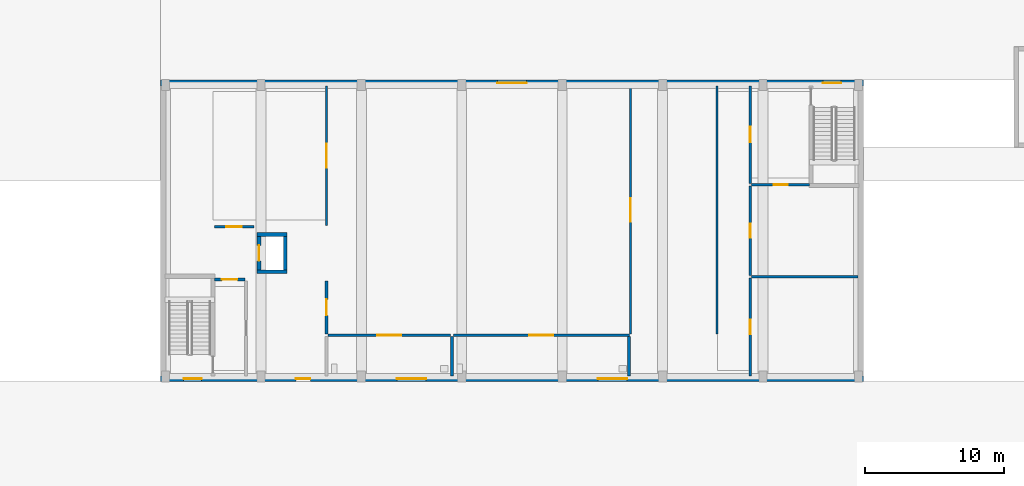
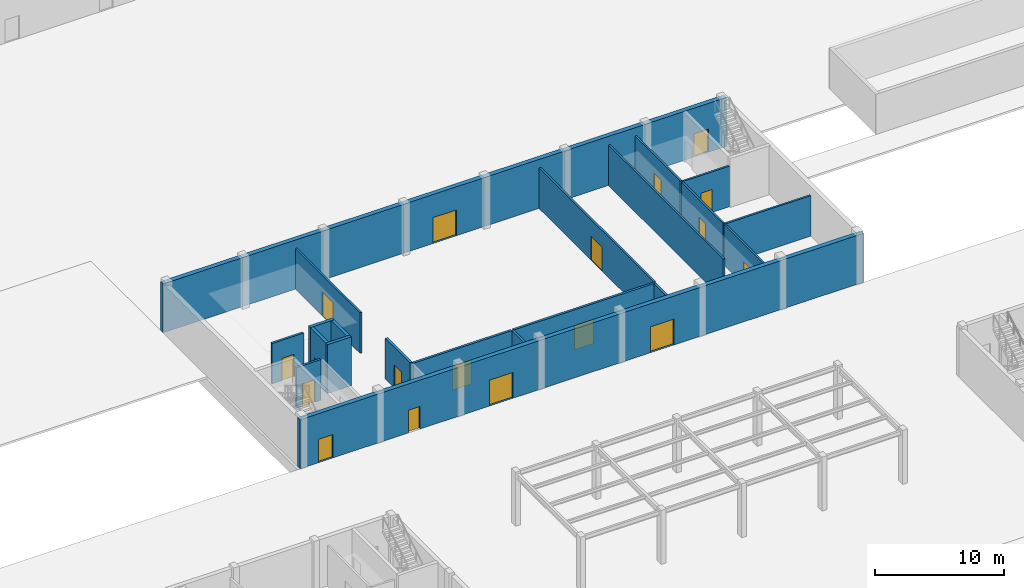
# One storey, part 41 of 85: 21 walls, 18 doors, 18 openings.
"""IFC4 building model written with IfcOpenShell, lengths in metres."""

from ifc_helpers import new_model, si_unit, derived_unit, direction, frame, frame_2d, origin, place, context, subcontext, project, spatial, rectangle, extrude, material, layer, layer_set, type_object, element, fill, save


model = new_model("IFC4")

# Units and contexts
model_context = context("Model", 3, precision=1e-05, world=origin(), true_north=direction((0.0, 1.0)))
body_context = subcontext(model_context, "Body", "Model", "MODEL_VIEW")
ifc_project = project(units=[si_unit("LENGTHUNIT", "METRE"), si_unit("AREAUNIT", "SQUARE_METRE"), si_unit("VOLUMEUNIT", "CUBIC_METRE"), si_unit("PLANEANGLEUNIT", "RADIAN"), si_unit("MASSUNIT", "GRAM", prefix="KILO"), derived_unit("THERMALTRANSMITTANCEUNIT", [(si_unit("MASSUNIT", "GRAM", prefix="KILO"), 1), (si_unit("TIMEUNIT", "SECOND"), -3), (si_unit("THERMODYNAMICTEMPERATUREUNIT", "KELVIN"), -1)])], contexts=[model_context])

# Site, building, storey
site_placement = place(None, origin())
site = spatial("IfcSite", under=ifc_project, at=site_placement, CompositionType="ELEMENT")
building_placement = place(site_placement, origin())
building = spatial("IfcBuilding", under=site, at=building_placement, Name="Ochrekiln Boulevard Commons", CompositionType="ELEMENT")
storey_placement = place(building_placement, origin())
storey = spatial("IfcBuildingStorey", under=building, at=storey_placement, Name="L00", CompositionType="ELEMENT", Elevation=0.0)

# Wall, openings, doors
ifc_material_1 = material(Name="Iron-spot brown clinker brick masonry ASTM C216 Grade SW", Category="masonry")
ifc_layer_1 = layer(ifc_material_1, 0.39990234375)
ifc_layer_set_1 = layer_set([ifc_layer_1], Name="Iron-spot brown clinker brick masonry ASTM C216 Grade SW")
wall_type_1 = type_object("IfcWallType", Name="WL-EXT-HALL-400", PredefinedType="SOLIDWALL", material=ifc_layer_set_1)
wall_1_placement = place(storey_placement, frame((57.60009765625, 36.199951171875, 0.0), z_axis=(0.0, 0.0, 1.0), x_axis=(1.0, 0.0, 0.0)))
wall_1 = element("IfcWall", 1, at=wall_1_placement, inside=storey, type_object=wall_type_1, Name="Community Hall L00 S Exterior Wall", PredefinedType="SOLIDWALL", context=body_context, shape_type="SweptSolid", body=[
    extrude(rectangle(XDim=50.39990234375, YDim=0.39990234375, at=frame_2d((25.199951171875, 0.0))), origin(), (0.0, 0.0, 1.0), 4.6298828125),
])
opening_1_placement = place(wall_1_placement, frame((1.64990234375, 0.0, 0.0)))
opening_1 = element("IfcOpeningElement", 2, at=opening_1_placement, cuts=wall_1, Name="Opening D-L00-H1X", PredefinedType="OPENING", context=body_context, shape_type="SweptSolid", body=[
    extrude(rectangle(XDim=1.300048828125, YDim=2.199951171875, at=frame_2d((0.64990234375, 1.10009765625))), frame((0.0, 0.2099609375, 0.0), z_axis=(0.0, -1.0, 0.0), x_axis=(1.0, 0.0, 0.0)), (0.0, 0.0, 1.0), 0.419921875),
])
opening_2_placement = place(wall_1_placement, frame((9.699951171875, 0.0, 0.0)))
opening_2 = element("IfcOpeningElement", 3, at=opening_2_placement, cuts=wall_1, Name="Opening D-L00-FCC", PredefinedType="OPENING", context=body_context, shape_type="SweptSolid", body=[
    extrude(rectangle(XDim=1.050048828125, YDim=2.14990234375, at=frame_2d((0.52490234375, 1.074951171875))), frame((0.0, 0.2099609375, 0.0), z_axis=(0.0, -1.0, 0.0), x_axis=(1.0, 0.0, 0.0)), (0.0, 0.0, 1.0), 0.419921875),
])
opening_3_placement = place(wall_1_placement, frame((16.949951171875, 0.0, 0.0)))
opening_3 = element("IfcOpeningElement", 4, at=opening_3_placement, cuts=wall_1, Name="Opening D-L00-HMS1", PredefinedType="OPENING", context=body_context, shape_type="SweptSolid", body=[
    extrude(rectangle(XDim=2.10009765625, YDim=2.449951171875, at=frame_2d((1.050048828125, 1.22509765625))), frame((0.0, 0.2099609375, 0.0), z_axis=(0.0, -1.0, 0.0), x_axis=(1.0, 0.0, 0.0)), (0.0, 0.0, 1.0), 0.419921875),
])
opening_4_placement = place(wall_1_placement, frame((31.35009765625, 0.0, 0.0)))
opening_4 = element("IfcOpeningElement", 5, at=opening_4_placement, cuts=wall_1, Name="Opening D-L00-HMS2", PredefinedType="OPENING", context=body_context, shape_type="SweptSolid", body=[
    extrude(rectangle(XDim=2.10009765625, YDim=2.449951171875, at=frame_2d((1.050048828125, 1.22509765625))), frame((0.0, 0.2099609375, 0.0), z_axis=(0.0, -1.0, 0.0), x_axis=(1.0, 0.0, 0.0)), (0.0, 0.0, 1.0), 0.419921875),
])
ifc_material_2 = material(Name="Bronze-anodized extruded aluminium 6063-T6", Category="aluminium")
door_type_1 = type_object("IfcDoorType", Name="DR-EXT-FCC-105", OperationType="NOTDEFINED", PredefinedType="DOOR", material=ifc_material_2)
door_1_placement = place(opening_2_placement, frame((1.050048828125, 0.0, 0.0), z_axis=(0.0, 0.0, 1.0), x_axis=(-1.0, 0.0, 0.0)))
door_1 = element("IfcDoor", 6, at=door_1_placement, inside=storey, type_object=door_type_1, Name="Fire Command Center Exterior Access Door", OperationType="SINGLE_SWING_RIGHT", OverallHeight=2.14990234375, OverallWidth=1.050048828125, PredefinedType="DOOR", context=body_context, shape_type="SweptSolid", body=[
    extrude(rectangle(XDim=1.050048828125, YDim=2.14990234375, at=frame_2d((0.52490234375, 1.074951171875))), frame((0.0, 0.02490234375, 0.0), z_axis=(0.0, -1.0, 0.0), x_axis=(1.0, 0.0, 0.0)), (0.0, 0.0, 1.0), 0.050048828125),
])
fill(opening_2, door_1)
door_type_2 = type_object("IfcDoorType", Name="DR-EXT-HALL-210", OperationType="DOUBLE_DOOR_SINGLE_SWING", PredefinedType="DOOR", material=ifc_material_2)
door_2_placement = place(opening_3_placement, frame((2.10009765625, 0.0, 0.0), z_axis=(0.0, 0.0, 1.0), x_axis=(-1.0, 0.0, 0.0)))
door_2 = element("IfcDoor", 7, at=door_2_placement, inside=storey, type_object=door_type_2, Name="Community Hall Main Assembly Entrance and Final Exit S1", OperationType="DOUBLE_DOOR_SINGLE_SWING", OverallHeight=2.449951171875, OverallWidth=2.10009765625, PredefinedType="DOOR", context=body_context, shape_type="SweptSolid", body=[
    extrude(rectangle(XDim=2.10009765625, YDim=2.449951171875, at=frame_2d((1.050048828125, 1.22509765625))), frame((0.0, 0.02490234375, 0.0), z_axis=(0.0, -1.0, 0.0), x_axis=(1.0, 0.0, 0.0)), (0.0, 0.0, 1.0), 0.050048828125),
])
fill(opening_3, door_2)
door_3_placement = place(opening_4_placement, frame((2.10009765625, 0.0, 0.0), z_axis=(0.0, 0.0, 1.0), x_axis=(-1.0, 0.0, 0.0)))
door_3 = element("IfcDoor", 8, at=door_3_placement, inside=storey, type_object=door_type_2, Name="Community Hall Main Assembly Entrance and Final Exit S2", OperationType="DOUBLE_DOOR_SINGLE_SWING", OverallHeight=2.449951171875, OverallWidth=2.10009765625, PredefinedType="DOOR", context=body_context, shape_type="SweptSolid", body=[
    extrude(rectangle(XDim=2.10009765625, YDim=2.449951171875, at=frame_2d((1.050048828125, 1.22509765625))), frame((0.0, 0.02490234375, 0.0), z_axis=(0.0, -1.0, 0.0), x_axis=(1.0, 0.0, 0.0)), (0.0, 0.0, 1.0), 0.050048828125),
])
fill(opening_4, door_3)
door_type_3 = type_object("IfcDoorType", Name="DR-EXT-STAIR-130", OperationType="NOTDEFINED", PredefinedType="DOOR", material=ifc_material_2)
door_4_placement = place(opening_1_placement, frame((1.300048828125, 0.0, 0.0), z_axis=(0.0, 0.0, 1.0), x_axis=(-1.0, 0.0, 0.0)))
door_4 = element("IfcDoor", 9, at=door_4_placement, inside=storey, type_object=door_type_3, Name="Community Hall Stair ST-H1 Exterior Exit Door", OperationType="SINGLE_SWING_LEFT", OverallHeight=2.199951171875, OverallWidth=1.300048828125, PredefinedType="DOOR", context=body_context, shape_type="SweptSolid", body=[
    extrude(rectangle(XDim=1.300048828125, YDim=2.199951171875, at=frame_2d((0.64990234375, 1.10009765625))), frame((0.0, 0.02490234375, 0.0), z_axis=(0.0, -1.0, 0.0), x_axis=(1.0, 0.0, 0.0)), (0.0, 0.0, 1.0), 0.050048828125),
])
fill(opening_1, door_4)

wall_2_placement = place(storey_placement, frame((57.60009765625, 57.39990234375, 0.0), z_axis=(0.0, 0.0, 1.0), x_axis=(1.0, 0.0, 0.0)))
wall_2 = element("IfcWall", 10, at=wall_2_placement, inside=storey, type_object=wall_type_1, Name="Community Hall L00 N Exterior Wall", PredefinedType="SOLIDWALL", context=body_context, shape_type="SweptSolid", body=[
    extrude(rectangle(XDim=50.39990234375, YDim=0.39990234375, at=frame_2d((25.199951171875, 0.0))), origin(), (0.0, 0.0, 1.0), 4.6298828125),
])
opening_5_placement = place(wall_2_placement, frame((47.5, 0.0, 0.0)))
opening_5 = element("IfcOpeningElement", 11, at=opening_5_placement, cuts=wall_2, Name="Opening D-L00-H2X", PredefinedType="OPENING", context=body_context, shape_type="SweptSolid", body=[
    extrude(rectangle(XDim=1.300048828125, YDim=2.199951171875, at=frame_2d((0.64990234375, 1.10009765625))), frame((0.0, 0.2099609375, 0.0), z_axis=(0.0, -1.0, 0.0), x_axis=(1.0, 0.0, 0.0)), (0.0, 0.0, 1.0), 0.419921875),
])
opening_6_placement = place(wall_2_placement, frame((24.14990234375, 0.0, 0.0)))
opening_6 = element("IfcOpeningElement", 12, at=opening_6_placement, cuts=wall_2, Name="Opening D-L00-HMN1", PredefinedType="OPENING", context=body_context, shape_type="SweptSolid", body=[
    extrude(rectangle(XDim=2.10009765625, YDim=2.449951171875, at=frame_2d((1.050048828125, 1.22509765625))), frame((0.0, 0.2099609375, 0.0), z_axis=(0.0, -1.0, 0.0), x_axis=(1.0, 0.0, 0.0)), (0.0, 0.0, 1.0), 0.419921875),
])
door_5_placement = place(opening_6_placement, origin())
door_5 = element("IfcDoor", 13, at=door_5_placement, inside=storey, type_object=door_type_2, Name="Community Hall Main Assembly Entrance and Final Exit N1", OperationType="DOUBLE_DOOR_SINGLE_SWING", OverallHeight=2.449951171875, OverallWidth=2.10009765625, PredefinedType="DOOR", context=body_context, shape_type="SweptSolid", body=[
    extrude(rectangle(XDim=2.10009765625, YDim=2.449951171875, at=frame_2d((1.050048828125, 1.22509765625))), frame((0.0, 0.02490234375, 0.0), z_axis=(0.0, -1.0, 0.0), x_axis=(1.0, 0.0, 0.0)), (0.0, 0.0, 1.0), 0.050048828125),
])
fill(opening_6, door_5)
door_6_placement = place(opening_5_placement, origin())
door_6 = element("IfcDoor", 14, at=door_6_placement, inside=storey, type_object=door_type_3, Name="Community Hall Stair ST-H2 Exterior Exit Door", OperationType="SINGLE_SWING_RIGHT", OverallHeight=2.199951171875, OverallWidth=1.300048828125, PredefinedType="DOOR", context=body_context, shape_type="SweptSolid", body=[
    extrude(rectangle(XDim=1.300048828125, YDim=2.199951171875, at=frame_2d((0.64990234375, 1.10009765625))), frame((0.0, 0.02490234375, 0.0), z_axis=(0.0, -1.0, 0.0), x_axis=(1.0, 0.0, 0.0)), (0.0, 0.0, 1.0), 0.050048828125),
])
fill(opening_5, door_6)

# Wall, opening, door
ifc_material_3 = material(Name="Moisture-resistant cementitious tile backer wall")
ifc_layer_2 = layer(ifc_material_3, 0.199951171875)
ifc_layer_set_2 = layer_set([ifc_layer_2], Name="Moisture-resistant cementitious tile backer wall")
wall_type_2 = type_object("IfcWallType", Name="WL-PLM-200", PredefinedType="PLUMBINGWALL", material=ifc_layer_set_2)
wall_3_placement = place(storey_placement, frame((69.60009765625, 39.31005859375, 0.0), z_axis=(0.0, 0.0, 1.0), x_axis=(1.0, 0.0, 0.0)))
wall_3 = element("IfcWall", 15, at=wall_3_placement, inside=storey, type_object=wall_type_2, Name="L00 Interior Wall W-PW200", PredefinedType="PLUMBINGWALL", context=body_context, shape_type="SweptSolid", body=[
    extrude(rectangle(XDim=8.7998046875, YDim=0.199951171875, at=frame_2d((4.39990234375, 0.0))), origin(), (0.0, 0.0, 1.0), 3.840087890625),
])
opening_7_placement = place(wall_3_placement, frame((3.550048828125, 0.0, 0.0)))
opening_7 = element("IfcOpeningElement", 16, at=opening_7_placement, cuts=wall_3, Name="Opening D-L00-108", PredefinedType="OPENING", context=body_context, shape_type="SweptSolid", body=[
    extrude(rectangle(XDim=1.699951171875, YDim=2.280029296875, at=frame_2d((0.85009765625, 1.14013671875))), frame((0.0, 0.10986328125, 0.0), z_axis=(0.0, -1.0, 0.0), x_axis=(1.0, 0.0, 0.0)), (0.0, 0.0, 1.0), 0.219970703125),
])
ifc_material_4 = material(Name="Solid core architectural oak door leaf")
door_type_4 = type_object("IfcDoorType", Name="DR-INT-HALL-170", OperationType="DOUBLE_DOOR_SINGLE_SWING", PredefinedType="DOOR", material=ifc_material_4)
door_7_placement = place(opening_7_placement, origin())
door_7 = element("IfcDoor", 17, at=door_7_placement, inside=storey, type_object=door_type_4, Name="L00 Interior Door to Community Assembly Hall", OperationType="DOUBLE_DOOR_SINGLE_SWING", OverallHeight=2.280029296875, OverallWidth=1.699951171875, PredefinedType="DOOR", context=body_context, shape_type="SweptSolid", body=[
    extrude(rectangle(XDim=1.699951171875, YDim=2.280029296875, at=frame_2d((0.85009765625, 1.14013671875))), frame((0.0, 0.02490234375, 0.0), z_axis=(0.0, -1.0, 0.0), x_axis=(1.0, 0.0, 0.0)), (0.0, 0.0, 1.0), 0.050048828125),
])
fill(opening_7, door_7)

wall_4_placement = place(storey_placement, frame((78.60009765625, 39.31005859375, 0.0), z_axis=(0.0, 0.0, 1.0), x_axis=(1.0, 0.0, 0.0)))
wall_4 = element("IfcWall", 18, at=wall_4_placement, inside=storey, type_object=wall_type_2, Name="L00 Interior Wall W-PW200", PredefinedType="PLUMBINGWALL", context=body_context, shape_type="SweptSolid", body=[
    extrude(rectangle(XDim=12.614990234375, YDim=0.199951171875, at=frame_2d((6.3076171875, 0.0))), origin(), (0.0, 0.0, 1.0), 3.840087890625),
])
opening_8_placement = place(wall_4_placement, frame((5.449951171875, 0.0, 0.0)))
opening_8 = element("IfcOpeningElement", 19, at=opening_8_placement, cuts=wall_4, Name="Opening D-L00-109", PredefinedType="OPENING", context=body_context, shape_type="SweptSolid", body=[
    extrude(rectangle(XDim=1.699951171875, YDim=2.280029296875, at=frame_2d((0.85009765625, 1.14013671875))), frame((0.0, 0.10986328125, 0.0), z_axis=(0.0, -1.0, 0.0), x_axis=(1.0, 0.0, 0.0)), (0.0, 0.0, 1.0), 0.219970703125),
])
door_8_placement = place(opening_8_placement, origin())
door_8 = element("IfcDoor", 20, at=door_8_placement, inside=storey, type_object=door_type_4, Name="L00 Interior Door to Community Assembly Hall", OperationType="DOUBLE_DOOR_SINGLE_SWING", OverallHeight=2.280029296875, OverallWidth=1.699951171875, PredefinedType="DOOR", context=body_context, shape_type="SweptSolid", body=[
    extrude(rectangle(XDim=1.699951171875, YDim=2.280029296875, at=frame_2d((0.85009765625, 1.14013671875))), frame((0.0, 0.02490234375, 0.0), z_axis=(0.0, -1.0, 0.0), x_axis=(1.0, 0.0, 0.0)), (0.0, 0.0, 1.0), 0.050048828125),
])
fill(opening_8, door_8)

# Walls
for number, where, z_axis, x_axis, name in (
    (21, (78.5, 36.39990234375, 0.0), (0.0, 0.0, 1.0), (0.0, 1.0, 0.0), "L00 Interior Wall W-PW200"),
    (22, (91.199951171875, 36.39990234375, 0.0), (0.0, 0.0, 1.0), (0.0, 1.0, 0.0), "L00 Interior Wall W-PW200"),
):
    element("IfcWall", number, at=place(storey_placement, frame(where, z_axis=z_axis, x_axis=x_axis)), inside=storey, type_object=wall_type_2, Name=name, PredefinedType="PLUMBINGWALL", context=body_context, shape_type="SweptSolid", body=[
        extrude(rectangle(XDim=2.820068359375, YDim=0.199951171875, at=frame_2d((1.41015625, 0.0))), origin(), (0.0, 0.0, 1.0), 3.840087890625),
    ])

# Wall, opening, door
ifc_material_5 = material(Name="Fire-rated Type X gypsum board on steel studs", Category="steel")
ifc_layer_3 = layer(ifc_material_5, 0.169921875)
ifc_layer_set_3 = layer_set([ifc_layer_3], Name="Fire-rated Type X gypsum board on steel studs")
wall_type_3 = type_object("IfcWallType", Name="WL-PT-CIV-170", PredefinedType="PARTITIONING", material=ifc_layer_set_3)
wall_5_placement = place(storey_placement, frame((91.300048828125, 39.39990234375, 0.0), z_axis=(0.0, 0.0, 1.0), x_axis=(0.0, 1.0, 0.0)))
wall_5 = element("IfcWall", 23, at=wall_5_placement, inside=storey, type_object=wall_type_3, Name="L00 Interior Wall W-PV170", PredefinedType="PARTITIONING", context=body_context, shape_type="SweptSolid", body=[
    extrude(rectangle(XDim=17.800048828125, YDim=0.169921875, at=frame_2d((8.89990234375, 0.0))), origin(), (0.0, 0.0, 1.0), 3.840087890625),
])
opening_9_placement = place(wall_5_placement, frame((8.050048828125, 0.0, 0.0)))
opening_9 = element("IfcOpeningElement", 24, at=opening_9_placement, cuts=wall_5, Name="Opening D-L00-107", PredefinedType="OPENING", context=body_context, shape_type="SweptSolid", body=[
    extrude(rectangle(XDim=1.699951171875, YDim=2.280029296875, at=frame_2d((0.85009765625, 1.14013671875))), frame((0.0, 0.094970703125, 0.0), z_axis=(0.0, -1.0, 0.0), x_axis=(1.0, 0.0, 0.0)), (0.0, 0.0, 1.0), 0.18994140625),
])
door_9_placement = place(opening_9_placement, origin())
door_9 = element("IfcDoor", 25, at=door_9_placement, inside=storey, type_object=door_type_4, Name="L00 Interior Door to Community Assembly Hall", OperationType="DOUBLE_DOOR_SINGLE_SWING", OverallHeight=2.280029296875, OverallWidth=1.699951171875, PredefinedType="DOOR", context=body_context, shape_type="SweptSolid", body=[
    extrude(rectangle(XDim=1.699951171875, YDim=2.280029296875, at=frame_2d((0.85009765625, 1.14013671875))), frame((0.0, 0.02490234375, 0.0), z_axis=(0.0, -1.0, 0.0), x_axis=(1.0, 0.0, 0.0)), (0.0, 0.0, 1.0), 0.050048828125),
])
fill(opening_9, door_9)

# Wall
wall_6_placement = place(storey_placement, frame((99.971923828125, 43.510009765625, 0.0), z_axis=(0.0, 0.0, 1.0), x_axis=(1.0, 0.0, 0.0)))
element("IfcWall", 26, at=wall_6_placement, inside=storey, type_object=wall_type_3, Name="L00 Interior Wall W-PV170", PredefinedType="PARTITIONING", context=body_context, shape_type="SweptSolid", body=[
    extrude(rectangle(XDim=7.628173828125, YDim=0.169921875, at=frame_2d((3.81396484375, 0.0))), origin(), (0.0, 0.0, 1.0), 3.840087890625),
])

# Wall, opening, door
ifc_layer_4 = layer(ifc_material_5, 0.1650390625)
ifc_layer_set_4 = layer_set([ifc_layer_4], Name="Fire-rated Type X gypsum board on steel studs")
wall_type_4 = type_object("IfcWallType", Name="WL-PT-CORR-165", PredefinedType="PARTITIONING", material=ifc_layer_set_4)
wall_7_placement = place(storey_placement, frame((69.5, 47.179931640625, 0.0), z_axis=(0.0, 0.0, 1.0), x_axis=(0.0, 1.0, 0.0)))
wall_7 = element("IfcWall", 27, at=wall_7_placement, inside=storey, type_object=wall_type_4, Name="L00 Interior Wall W-PC165", PredefinedType="PARTITIONING", context=body_context, shape_type="SweptSolid", body=[
    extrude(rectangle(XDim=10.02001953125, YDim=0.1650390625, at=frame_2d((5.010009765625, 0.0))), origin(), (0.0, 0.0, 1.0), 3.840087890625),
])
opening_10_placement = place(wall_7_placement, frame((4.159912109375, 0.0, 0.0)))
opening_10 = element("IfcOpeningElement", 28, at=opening_10_placement, cuts=wall_7, Name="Opening D-L00-105", PredefinedType="OPENING", context=body_context, shape_type="SweptSolid", body=[
    extrude(rectangle(XDim=1.699951171875, YDim=2.280029296875, at=frame_2d((0.85009765625, 1.14013671875))), frame((0.0, 0.092529296875, 0.0), z_axis=(0.0, -1.0, 0.0), x_axis=(1.0, 0.0, 0.0)), (0.0, 0.0, 1.0), 0.18505859375),
])
door_10_placement = place(opening_10_placement, frame((1.699951171875, 0.0, 0.0), z_axis=(0.0, 0.0, 1.0), x_axis=(-1.0, 0.0, 0.0)))
door_10 = element("IfcDoor", 29, at=door_10_placement, inside=storey, type_object=door_type_4, Name="L00 Interior Door to Community Assembly Hall", OperationType="DOUBLE_DOOR_SINGLE_SWING", OverallHeight=2.280029296875, OverallWidth=1.699951171875, PredefinedType="DOOR", context=body_context, shape_type="SweptSolid", body=[
    extrude(rectangle(XDim=1.699951171875, YDim=2.280029296875, at=frame_2d((0.85009765625, 1.14013671875))), frame((0.0, 0.02490234375, 0.0), z_axis=(0.0, -1.0, 0.0), x_axis=(1.0, 0.0, 0.0)), (0.0, 0.0, 1.0), 0.050048828125),
])
fill(opening_10, door_10)

# Wall
wall_8_placement = place(storey_placement, frame((97.5, 39.39990234375, 0.0), z_axis=(0.0, 0.0, 1.0), x_axis=(0.0, 1.0, 0.0)))
element("IfcWall", 30, at=wall_8_placement, inside=storey, type_object=wall_type_4, Name="L00 Interior Wall W-PC165", PredefinedType="PARTITIONING", context=body_context, shape_type="SweptSolid", body=[
    extrude(rectangle(XDim=17.800048828125, YDim=0.1650390625, at=frame_2d((8.89990234375, 0.0))), origin(), (0.0, 0.0, 1.0), 3.840087890625),
])

# Wall, opening, door
wall_9_placement = place(storey_placement, frame((99.889892578125, 50.199951171875, 0.0), z_axis=(0.0, 0.0, 1.0), x_axis=(0.0, 1.0, 0.0)))
wall_9 = element("IfcWall", 31, at=wall_9_placement, inside=storey, type_object=wall_type_4, Name="L00 Interior Wall W-PC165", PredefinedType="PARTITIONING", context=body_context, shape_type="SweptSolid", body=[
    extrude(rectangle(XDim=7.0, YDim=0.1650390625, at=frame_2d((3.5, 0.0))), origin(), (0.0, 0.0, 1.0), 3.840087890625),
])
opening_11_placement = place(wall_9_placement, frame((2.949951171875, 0.0, 0.0)))
opening_11 = element("IfcOpeningElement", 32, at=opening_11_placement, cuts=wall_9, Name="Opening D-L00-110", PredefinedType="OPENING", context=body_context, shape_type="SweptSolid", body=[
    extrude(rectangle(XDim=1.10009765625, YDim=2.1201171875, at=frame_2d((0.550048828125, 1.06005859375))), frame((0.0, 0.092529296875, 0.0), z_axis=(0.0, -1.0, 0.0), x_axis=(1.0, 0.0, 0.0)), (0.0, 0.0, 1.0), 0.18505859375),
])
ifc_material_6 = material(Name="Hollow metal fire-rated steel door assembly", Category="steel")
door_type_5 = type_object("IfcDoorType", Name="DR-LOBBY-60", OperationType="NOTDEFINED", PredefinedType="DOOR", material=ifc_material_6)
door_11_placement = place(opening_11_placement, frame((1.10009765625, 0.0, 0.0), z_axis=(0.0, 0.0, 1.0), x_axis=(-1.0, 0.0, 0.0)))
door_11 = element("IfcDoor", 33, at=door_11_placement, inside=storey, type_object=door_type_5, Name="L00 Interior Door to Community Hall North-East Stair Corridor", OperationType="SINGLE_SWING_RIGHT", OverallHeight=2.1201171875, OverallWidth=1.10009765625, PredefinedType="DOOR", context=body_context, shape_type="SweptSolid", body=[
    extrude(rectangle(XDim=1.10009765625, YDim=2.1201171875, at=frame_2d((0.550048828125, 1.06005859375))), frame((0.0, 0.02490234375, 0.0), z_axis=(0.0, -1.0, 0.0), x_axis=(1.0, 0.0, 0.0)), (0.0, 0.0, 1.0), 0.050048828125),
])
fill(opening_11, door_11)

wall_10_placement = place(storey_placement, frame((99.889892578125, 36.39990234375, 0.0), z_axis=(0.0, 0.0, 1.0), x_axis=(0.0, 1.0, 0.0)))
wall_10 = element("IfcWall", 34, at=wall_10_placement, inside=storey, type_object=wall_type_4, Name="L00 Interior Wall W-PC165", PredefinedType="PARTITIONING", context=body_context, shape_type="SweptSolid", body=[
    extrude(rectangle(XDim=7.02001953125, YDim=0.1650390625, at=frame_2d((3.510009765625, 0.0))), origin(), (0.0, 0.0, 1.0), 3.840087890625),
])
opening_12_placement = place(wall_10_placement, frame((3.0, 0.0, 0.0)))
opening_12 = element("IfcOpeningElement", 35, at=opening_12_placement, cuts=wall_10, Name="Opening D-L00-111", PredefinedType="OPENING", context=body_context, shape_type="SweptSolid", body=[
    extrude(rectangle(XDim=1.02001953125, YDim=2.159912109375, at=frame_2d((0.510009765625, 1.080078125))), frame((0.0, 0.092529296875, 0.0), z_axis=(0.0, -1.0, 0.0), x_axis=(1.0, 0.0, 0.0)), (0.0, 0.0, 1.0), 0.18505859375),
])
door_type_6 = type_object("IfcDoorType", Name="DR-INT-CIV-102", OperationType="NOTDEFINED", PredefinedType="DOOR", material=ifc_material_4)
door_12_placement = place(opening_12_placement, frame((1.02001953125, 0.0, 0.0), z_axis=(0.0, 0.0, 1.0), x_axis=(-1.0, 0.0, 0.0)))
door_12 = element("IfcDoor", 36, at=door_12_placement, inside=storey, type_object=door_type_6, Name="L00 Interior Door to Community Catering Kitchen", OperationType="SINGLE_SWING_LEFT", OverallHeight=2.159912109375, OverallWidth=1.02001953125, PredefinedType="DOOR", context=body_context, shape_type="SweptSolid", body=[
    extrude(rectangle(XDim=1.02001953125, YDim=2.159912109375, at=frame_2d((0.510009765625, 1.080078125))), frame((0.0, 0.02490234375, 0.0), z_axis=(0.0, -1.0, 0.0), x_axis=(1.0, 0.0, 0.0)), (0.0, 0.0, 1.0), 0.050048828125),
])
fill(opening_12, door_12)

wall_11_placement = place(storey_placement, frame((99.889892578125, 43.60009765625, 0.0), z_axis=(0.0, 0.0, 1.0), x_axis=(0.0, 1.0, 0.0)))
wall_11 = element("IfcWall", 37, at=wall_11_placement, inside=storey, type_object=wall_type_4, Name="L00 Interior Wall W-PC165", PredefinedType="PARTITIONING", context=body_context, shape_type="SweptSolid", body=[
    extrude(rectangle(XDim=6.419921875, YDim=0.1650390625, at=frame_2d((3.2099609375, 0.0))), origin(), (0.0, 0.0, 1.0), 3.840087890625),
])
opening_13_placement = place(wall_11_placement, frame((2.699951171875, 0.0, 0.0)))
opening_13 = element("IfcOpeningElement", 38, at=opening_13_placement, cuts=wall_11, Name="Opening D-L00-112", PredefinedType="OPENING", context=body_context, shape_type="SweptSolid", body=[
    extrude(rectangle(XDim=1.02001953125, YDim=2.159912109375, at=frame_2d((0.510009765625, 1.080078125))), frame((0.0, 0.092529296875, 0.0), z_axis=(0.0, -1.0, 0.0), x_axis=(1.0, 0.0, 0.0)), (0.0, 0.0, 1.0), 0.18505859375),
])
door_13_placement = place(opening_13_placement, frame((1.02001953125, 0.0, 0.0), z_axis=(0.0, 0.0, 1.0), x_axis=(-1.0, 0.0, 0.0)))
door_13 = element("IfcDoor", 39, at=door_13_placement, inside=storey, type_object=door_type_6, Name="L00 Interior Door to Housing Trust Management Office", OperationType="SINGLE_SWING_RIGHT", OverallHeight=2.159912109375, OverallWidth=1.02001953125, PredefinedType="DOOR", context=body_context, shape_type="SweptSolid", body=[
    extrude(rectangle(XDim=1.02001953125, YDim=2.159912109375, at=frame_2d((0.510009765625, 1.080078125))), frame((0.0, 0.02490234375, 0.0), z_axis=(0.0, -1.0, 0.0), x_axis=(1.0, 0.0, 0.0)), (0.0, 0.0, 1.0), 0.050048828125),
])
fill(opening_13, door_13)

wall_12_placement = place(storey_placement, frame((99.971923828125, 50.110107421875, 0.0), z_axis=(0.0, 0.0, 1.0), x_axis=(1.0, 0.0, 0.0)))
wall_12 = element("IfcWall", 40, at=wall_12_placement, inside=storey, type_object=wall_type_4, Name="L00 Interior Wall W-PC165", PredefinedType="PARTITIONING", context=body_context, shape_type="SweptSolid", body=[
    extrude(rectangle(XDim=4.177978515625, YDim=0.1650390625, at=frame_2d((2.0888671875, 0.0))), origin(), (0.0, 0.0, 1.0), 3.840087890625),
])
opening_14_placement = place(wall_12_placement, frame((1.5830078125, 0.0, 0.0)))
opening_14 = element("IfcOpeningElement", 41, at=opening_14_placement, cuts=wall_12, Name="Opening D-L00-113", PredefinedType="OPENING", context=body_context, shape_type="SweptSolid", body=[
    extrude(rectangle(XDim=1.02001953125, YDim=2.159912109375, at=frame_2d((0.510009765625, 1.080078125))), frame((0.0, 0.092529296875, 0.0), z_axis=(0.0, -1.0, 0.0), x_axis=(1.0, 0.0, 0.0)), (0.0, 0.0, 1.0), 0.18505859375),
])
door_14_placement = place(opening_14_placement, frame((1.02001953125, 0.0, 0.0), z_axis=(0.0, 0.0, 1.0), x_axis=(-1.0, 0.0, 0.0)))
door_14 = element("IfcDoor", 42, at=door_14_placement, inside=storey, type_object=door_type_6, Name="L00 Interior Door to Housing Trust Management Office", OperationType="SINGLE_SWING_LEFT", OverallHeight=2.159912109375, OverallWidth=1.02001953125, PredefinedType="DOOR", context=body_context, shape_type="SweptSolid", body=[
    extrude(rectangle(XDim=1.02001953125, YDim=2.159912109375, at=frame_2d((0.510009765625, 1.080078125))), frame((0.0, 0.02490234375, 0.0), z_axis=(0.0, -1.0, 0.0), x_axis=(1.0, 0.0, 0.0)), (0.0, 0.0, 1.0), 0.050048828125),
])
fill(opening_14, door_14)

ifc_material_7 = material(Name="Concrete C35/45", Category="concrete")
ifc_layer_5 = layer(ifc_material_7, 0.2099609375)
ifc_layer_set_5 = layer_set([ifc_layer_5], Name="Concrete C35/45")
wall_type_5 = type_object("IfcWallType", Name="WL-PT-FCC-210", PredefinedType="PARTITIONING", material=ifc_layer_set_5)
wall_13_placement = place(storey_placement, frame((69.5, 39.39990234375, 0.0), z_axis=(0.0, 0.0, 1.0), x_axis=(0.0, 1.0, 0.0)))
wall_13 = element("IfcWall", 43, at=wall_13_placement, inside=storey, type_object=wall_type_5, Name="L00 Interior Wall W-PF210", PredefinedType="PARTITIONING", context=body_context, shape_type="SweptSolid", body=[
    extrude(rectangle(XDim=3.820068359375, YDim=0.2099609375, at=frame_2d((1.91015625, 0.0))), origin(), (0.0, 0.0, 1.0), 3.840087890625),
])
opening_15_placement = place(wall_13_placement, frame((1.340087890625, 0.0, 0.0)))
opening_15 = element("IfcOpeningElement", 44, at=opening_15_placement, cuts=wall_13, Name="Opening D-L00-106", PredefinedType="OPENING", context=body_context, shape_type="SweptSolid", body=[
    extrude(rectangle(XDim=1.139892578125, YDim=2.179931640625, at=frame_2d((0.56982421875, 1.08984375))), frame((0.0, 0.114990234375, 0.0), z_axis=(0.0, -1.0, 0.0), x_axis=(1.0, 0.0, 0.0)), (0.0, 0.0, 1.0), 0.22998046875),
])
door_type_7 = type_object("IfcDoorType", Name="DR-INT-CIV-114", OperationType="NOTDEFINED", PredefinedType="DOOR", material=ifc_material_4)
door_15_placement = place(opening_15_placement, origin())
door_15 = element("IfcDoor", 45, at=door_15_placement, inside=storey, type_object=door_type_7, Name="L00 Interior Door to Fire Command Center", OperationType="SINGLE_SWING_RIGHT", OverallHeight=2.179931640625, OverallWidth=1.139892578125, PredefinedType="DOOR", context=body_context, shape_type="SweptSolid", body=[
    extrude(rectangle(XDim=1.139892578125, YDim=2.179931640625, at=frame_2d((0.56982421875, 1.08984375))), frame((0.0, 0.02490234375, 0.0), z_axis=(0.0, -1.0, 0.0), x_axis=(1.0, 0.0, 0.0)), (0.0, 0.0, 1.0), 0.050048828125),
])
fill(opening_15, door_15)

ifc_layer_6 = layer(ifc_material_5, 0.18994140625)
ifc_layer_set_6 = layer_set([ifc_layer_6], Name="Fire-rated Type X gypsum board on steel studs")
wall_type_6 = type_object("IfcWallType", Name="WL-PT-LBY-190", PredefinedType="PARTITIONING", material=ifc_layer_set_6)
wall_14_placement = place(storey_placement, frame((61.449951171875, 43.31005859375, 0.0), z_axis=(0.0, 0.0, 1.0), x_axis=(1.0, 0.0, 0.0)))
wall_14 = element("IfcWall", 46, at=wall_14_placement, inside=storey, type_object=wall_type_6, Name="L00 Interior Wall W-PL190", PredefinedType="PARTITIONING", context=body_context, shape_type="SweptSolid", body=[
    extrude(rectangle(XDim=2.199951171875, YDim=0.18994140625, at=frame_2d((1.10009765625, 0.0))), origin(), (0.0, 0.0, 1.0), 3.840087890625),
])
opening_16_placement = place(wall_14_placement, frame((0.550048828125, 0.0, 0.0)))
opening_16 = element("IfcOpeningElement", 47, at=opening_16_placement, cuts=wall_14, Name="Opening D-L00-102", PredefinedType="OPENING", context=body_context, shape_type="SweptSolid", body=[
    extrude(rectangle(XDim=1.10009765625, YDim=2.1201171875, at=frame_2d((0.550048828125, 1.06005859375))), frame((0.0, 0.10498046875, 0.0), z_axis=(0.0, -1.0, 0.0), x_axis=(1.0, 0.0, 0.0)), (0.0, 0.0, 1.0), 0.2099609375),
])
door_16_placement = place(opening_16_placement, origin())
door_16 = element("IfcDoor", 48, at=door_16_placement, inside=storey, type_object=door_type_5, Name="L00 Interior Door to Passenger Elevator Lobby", OperationType="SINGLE_SWING_RIGHT", OverallHeight=2.1201171875, OverallWidth=1.10009765625, PredefinedType="DOOR", context=body_context, shape_type="SweptSolid", body=[
    extrude(rectangle(XDim=1.10009765625, YDim=2.1201171875, at=frame_2d((0.550048828125, 1.06005859375))), frame((0.0, 0.02490234375, 0.0), z_axis=(0.0, -1.0, 0.0), x_axis=(1.0, 0.0, 0.0)), (0.0, 0.0, 1.0), 0.050048828125),
])
fill(opening_16, door_16)

wall_15_placement = place(storey_placement, frame((61.449951171875, 47.090087890625, 0.0), z_axis=(0.0, 0.0, 1.0), x_axis=(1.0, 0.0, 0.0)))
wall_15 = element("IfcWall", 49, at=wall_15_placement, inside=storey, type_object=wall_type_6, Name="L00 Interior Wall W-PL190", PredefinedType="PARTITIONING", context=body_context, shape_type="SweptSolid", body=[
    extrude(rectangle(XDim=2.85009765625, YDim=0.18994140625, at=frame_2d((1.425048828125, 0.0))), origin(), (0.0, 0.0, 1.0), 3.840087890625),
])
opening_17_placement = place(wall_15_placement, frame((0.875, 0.0, 0.0)))
opening_17 = element("IfcOpeningElement", 50, at=opening_17_placement, cuts=wall_15, Name="Opening D-L00-104", PredefinedType="OPENING", context=body_context, shape_type="SweptSolid", body=[
    extrude(rectangle(XDim=1.10009765625, YDim=2.1201171875, at=frame_2d((0.550048828125, 1.06005859375))), frame((0.0, 0.10498046875, 0.0), z_axis=(0.0, -1.0, 0.0), x_axis=(1.0, 0.0, 0.0)), (0.0, 0.0, 1.0), 0.2099609375),
])
door_17_placement = place(opening_17_placement, frame((1.10009765625, 0.0, 0.0), z_axis=(0.0, 0.0, 1.0), x_axis=(-1.0, 0.0, 0.0)))
door_17 = element("IfcDoor", 51, at=door_17_placement, inside=storey, type_object=door_type_5, Name="L00 Interior Door to Passenger Elevator Lobby", OperationType="SINGLE_SWING_RIGHT", OverallHeight=2.1201171875, OverallWidth=1.10009765625, PredefinedType="DOOR", context=body_context, shape_type="SweptSolid", body=[
    extrude(rectangle(XDim=1.10009765625, YDim=2.1201171875, at=frame_2d((0.550048828125, 1.06005859375))), frame((0.0, 0.02490234375, 0.0), z_axis=(0.0, -1.0, 0.0), x_axis=(1.0, 0.0, 0.0)), (0.0, 0.0, 1.0), 0.050048828125),
])
fill(opening_17, door_17)

# Walls
ifc_material_8 = material(Name="Concrete C40/50", Category="concrete")
ifc_layer_7 = layer(ifc_material_8, 0.27490234375)
ifc_layer_set_7 = layer_set([ifc_layer_7], Name="Concrete C40/50")
wall_type_7 = type_object("IfcWallType", Name="WL-SH-275", PredefinedType="SHEAR", material=ifc_layer_set_7)
for number, where, z_axis, x_axis, name in (
    (52, (64.52490234375, 43.862548828125, 0.0), (0.0, 0.0, 1.0), (1.0, 0.0, 0.0), "Elevator LP-H1 L00 Hoistway Shear Wall"),
    (53, (64.52490234375, 46.53759765625, 0.0), (0.0, 0.0, 1.0), (1.0, 0.0, 0.0), "Elevator LP-H1 L00 Hoistway Shear Wall"),
):
    element("IfcWall", number, at=place(storey_placement, frame(where, z_axis=z_axis, x_axis=x_axis)), inside=storey, type_object=wall_type_7, Name=name, PredefinedType="SHEAR", context=body_context, shape_type="SweptSolid", body=[
        extrude(rectangle(XDim=2.150146484375, YDim=0.27490234375, at=frame_2d((1.0751953125, 0.0))), origin(), (0.0, 0.0, 1.0), 4.6298828125),
    ])

# Wall, opening, door
wall_16_placement = place(storey_placement, frame((64.66259765625, 44.0, 0.0), z_axis=(0.0, 0.0, 1.0), x_axis=(0.0, 1.0, 0.0)))
wall_16 = element("IfcWall", 54, at=wall_16_placement, inside=storey, type_object=wall_type_7, Name="Elevator LP-H1 L00 Hoistway Shear Wall", PredefinedType="SHEAR", context=body_context, shape_type="SweptSolid", body=[
    extrude(rectangle(XDim=2.39990234375, YDim=0.27490234375, at=frame_2d((1.199951171875, 0.0))), origin(), (0.0, 0.0, 1.0), 4.6298828125),
])
opening_18_placement = place(wall_16_placement, frame((0.64990234375, 0.0, 0.0)))
opening_18 = element("IfcOpeningElement", 55, at=opening_18_placement, cuts=wall_16, Name="Opening LD-LP-H1-L00", PredefinedType="OPENING", context=body_context, shape_type="SweptSolid", body=[
    extrude(rectangle(XDim=1.10009765625, YDim=2.14990234375, at=frame_2d((0.550048828125, 1.074951171875))), frame((0.0, 0.1474609375, 0.0), z_axis=(0.0, -1.0, 0.0), x_axis=(1.0, 0.0, 0.0)), (0.0, 0.0, 1.0), 0.294921875),
])
ifc_material_9 = material(Name="Brushed stainless steel 316 elevator cab and doors", Category="steel")
door_type_8 = type_object("IfcDoorType", Name="DR-LIFT-LD90", OperationType="SLIDING_TO_LEFT", PredefinedType="DOOR", material=ifc_material_9)
door_18_placement = place(opening_18_placement, origin())
door_18 = element("IfcDoor", 56, at=door_18_placement, inside=storey, type_object=door_type_8, Name="Elevator LP-H1 L00 Sliding Landing Door LD-LP-H1-L00", OperationType="SLIDING_TO_LEFT", OverallHeight=2.14990234375, OverallWidth=1.10009765625, PredefinedType="DOOR", context=body_context, shape_type="SweptSolid", body=[
    extrude(rectangle(XDim=1.10009765625, YDim=2.14990234375, at=frame_2d((0.550048828125, 1.074951171875))), frame((0.0, 0.02490234375, 0.0), z_axis=(0.0, -1.0, 0.0), x_axis=(1.0, 0.0, 0.0)), (0.0, 0.0, 1.0), 0.050048828125),
])
fill(opening_18, door_18)

# Wall
wall_17_placement = place(storey_placement, frame((66.53759765625, 44.0, 0.0), z_axis=(0.0, 0.0, 1.0), x_axis=(0.0, 1.0, 0.0)))
element("IfcWall", 57, at=wall_17_placement, inside=storey, type_object=wall_type_7, Name="Elevator LP-H1 L00 Hoistway Shear Wall", PredefinedType="SHEAR", context=body_context, shape_type="SweptSolid", body=[
    extrude(rectangle(XDim=2.39990234375, YDim=0.27490234375, at=frame_2d((1.199951171875, 0.0))), origin(), (0.0, 0.0, 1.0), 4.6298828125),
])

save(model, "model.ifc")
